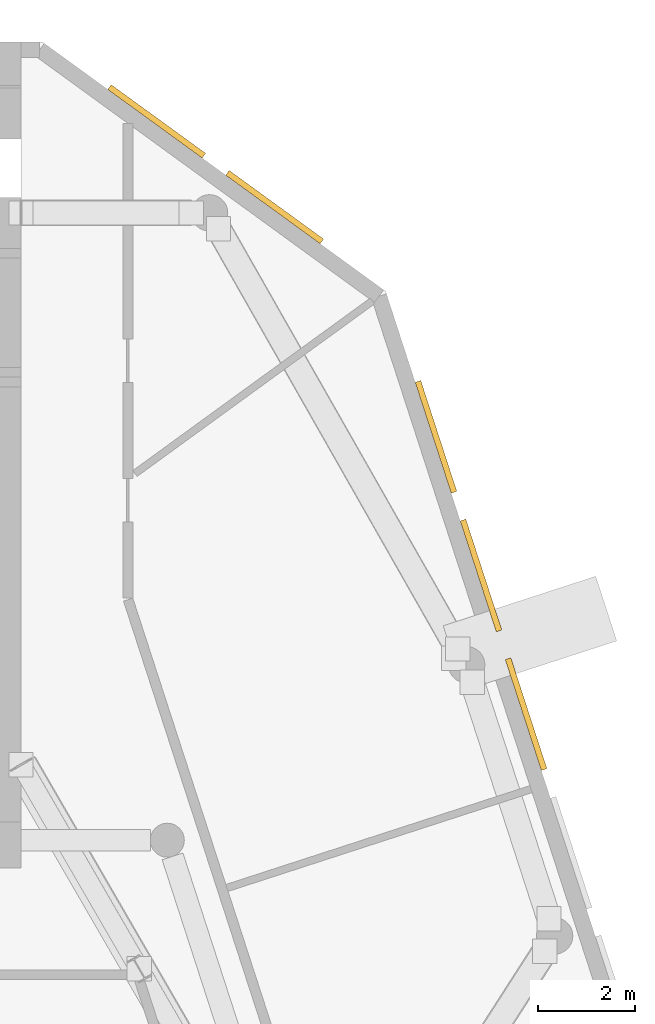
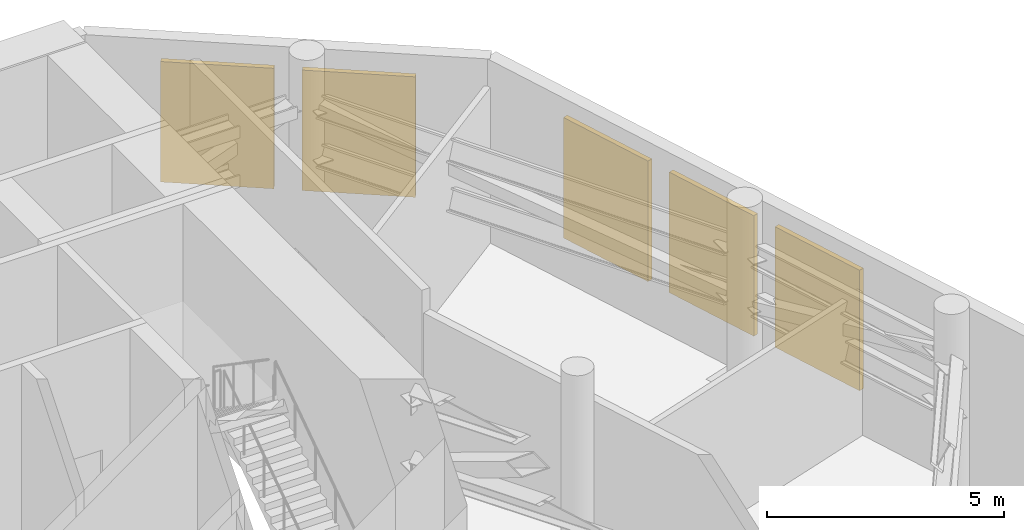
# One storey, part 17 of 17: 5 shading devices.
"""IFC4 building model written with IfcOpenShell, lengths in metres."""

from ifc_helpers import new_model, si_unit, direction, frame, origin, origin_2d, place, context, subcontext, project, spatial, rectangle, extrude, material, type_object, element, save


model = new_model("IFC4")

# Units and contexts
model_context = context("Model", 3, precision=1e-05, world=origin(), true_north=direction((0.0, 1.0)))
body_context = subcontext(model_context, "Body", "Model", "MODEL_VIEW")
ifc_project = project(units=[si_unit("LENGTHUNIT", "METRE"), si_unit("AREAUNIT", "SQUARE_METRE"), si_unit("VOLUMEUNIT", "CUBIC_METRE"), si_unit("PLANEANGLEUNIT", "RADIAN"), si_unit("MASSUNIT", "GRAM", prefix="KILO")], contexts=[model_context])

# Site, building, storey
site_placement = place(None, origin())
site = spatial("IfcSite", under=ifc_project, at=site_placement, CompositionType="ELEMENT")
building_placement = place(site_placement, origin())
building = spatial("IfcBuilding", under=site, at=building_placement, Name="White Candle Pilgrim Tower", CompositionType="ELEMENT")
storey_placement = place(building_placement, frame((0.0, 0.0, 191.5)))
storey = spatial("IfcBuildingStorey", under=building, at=storey_placement, Name="L44", CompositionType="ELEMENT", Elevation=191.5)

# Shading devices
ifc_material = material(Name="Aluminium", Category="aluminium")
shading_device_type = type_object("IfcShadingDeviceType", Name="Plant louvre LV2 2400x3100 aluminium framed", PredefinedType="USERDEFINED", material=ifc_material)
for number, where, z_axis, x_axis, name in (
    (1, (91.39404296875, 74.165283203125, 0.800048828125), (0.0, 0.0, 1.0), (-0.309017016385, 0.951056509144, 0.0), "Plant louvre L44 ENE 4"),
    (2, (90.466796875, 77.0185546875, 0.800048828125), (0.0, 0.0, 1.0), (-0.309017016385, 0.951056509144, 0.0), "Plant louvre L44 ENE 5"),
    (3, (89.539794921875, 79.87158203125, 0.800048828125), (0.0, 0.0, 1.0), (-0.309017016385, 0.951056509144, 0.0), "Plant louvre L44 ENE 6"),
    (4, (86.21923828125, 84.599609375, 0.800048828125), (0.0, 0.0, 1.0), (-0.809016977725, 0.587785275209, 0.0), "Plant louvre L44 NE chamfer 1"),
    (5, (83.792236328125, 86.363037109375, 0.800048828125), (0.0, 0.0, 1.0), (-0.809016977725, 0.587785275209, 0.0), "Plant louvre L44 NE chamfer 2"),
):
    element("IfcShadingDevice", number, at=place(storey_placement, frame(where, z_axis=z_axis, x_axis=x_axis)), inside=storey, type_object=shading_device_type, Name=name, ObjectType="LOUVRE", PredefinedType="USERDEFINED", context=body_context, shape_type="SweptSolid", body=[
        extrude(rectangle(XDim=2.39990234375, YDim=0.1201171875, at=origin_2d()), origin(), (0.0, 0.0, 1.0), 3.10009765625),
    ])

save(model, "model.ifc")
